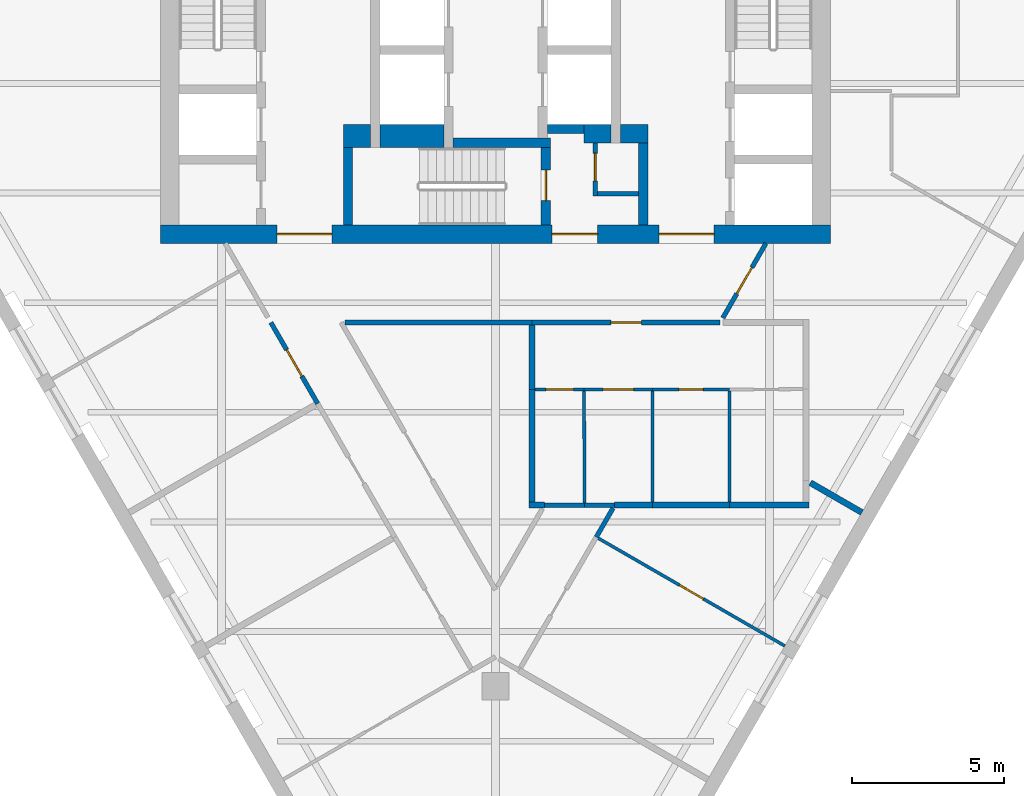
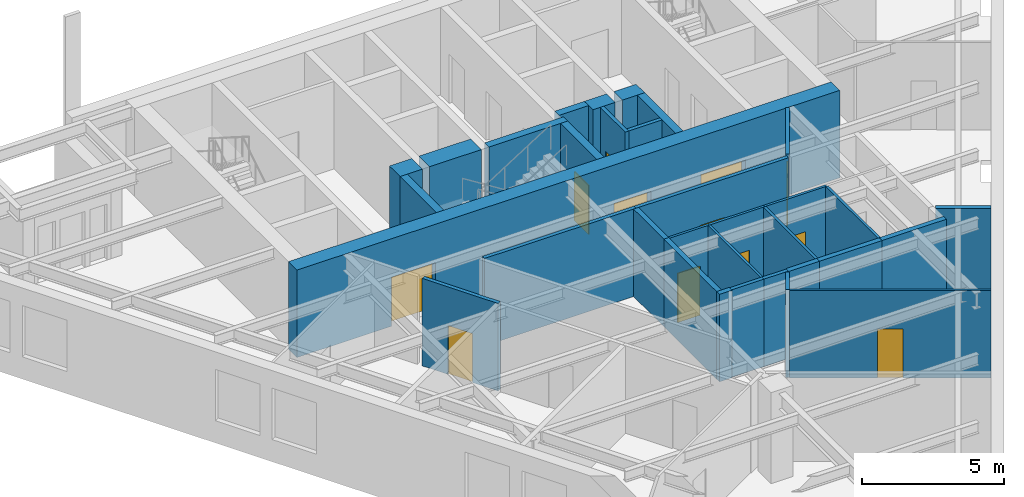
# One storey, part 3 of 8: 33 walls, 12 doors, 12 openings.
"""IFC4 building model written with IfcOpenShell, lengths in metres."""

from ifc_helpers import new_model, si_unit, direction, frame, frame_2d, origin, place, context, subcontext, project, spatial, rectangle, extrude, material, layer, layer_set, type_object, element, fill, save


model = new_model("IFC4")

# Units and contexts
model_context = context("Model", 3, precision=1e-05, world=origin(), true_north=direction((0.0, 1.0)))
body_context = subcontext(model_context, "Body", "Model", "MODEL_VIEW")
ifc_project = project(units=[si_unit("LENGTHUNIT", "METRE"), si_unit("AREAUNIT", "SQUARE_METRE"), si_unit("VOLUMEUNIT", "CUBIC_METRE"), si_unit("PLANEANGLEUNIT", "RADIAN"), si_unit("MASSUNIT", "GRAM", prefix="KILO")], contexts=[model_context])

# Site, building, storey
site_placement = place(None, origin())
site = spatial("IfcSite", under=ifc_project, at=site_placement, CompositionType="ELEMENT")
building_placement = place(site_placement, origin())
building = spatial("IfcBuilding", under=site, at=building_placement, Name="Aloe Facet Convention Tower", CompositionType="ELEMENT")
storey_placement = place(building_placement, frame((0.0, 0.0, 140.300048828125)))
storey = spatial("IfcBuildingStorey", under=building, at=storey_placement, Name="L35", CompositionType="ELEMENT", Elevation=140.300048828125)

# Wall, opening, door
ifc_material_1 = material(Name="Concrete blockwork partition", Category="masonry")
ifc_layer_1 = layer(ifc_material_1, 0.14990234375)
ifc_layer_set_1 = layer_set([ifc_layer_1], Name="CR-W-PART150")
wall_type_1 = type_object("IfcWallType", Name="CR-W-PART150", PredefinedType="PARTITIONING", material=ifc_layer_set_1)
wall_1_placement = place(storey_placement, frame((83.27490234375, 125.85009765625, 0.0), z_axis=(0.0, 0.0, 1.0), x_axis=(0.0, -1.0, 0.0)))
wall_1 = element("IfcWall", 1, at=wall_1_placement, inside=storey, type_object=wall_type_1, Name="Core partition L35-022", PredefinedType="PARTITIONING", context=body_context, shape_type="SweptSolid", body=[
    extrude(rectangle(XDim=1.75, YDim=0.14990234375, at=frame_2d((0.875, 0.0))), origin(), (0.0, 0.0, 1.0), 3.75),
])
opening_1_placement = place(wall_1_placement, frame((0.35009765625, 0.0, 0.0)))
opening_1 = element("IfcOpeningElement", 2, at=opening_1_placement, cuts=wall_1, Name="Opening L35-CD12", PredefinedType="OPENING", context=body_context, shape_type="SweptSolid", body=[
    extrude(rectangle(XDim=0.89990234375, YDim=2.10009765625, at=frame_2d((0.449951171875, 1.050048828125))), frame((0.0, 0.0849609375, 0.0), z_axis=(0.0, -1.0, 0.0), x_axis=(1.0, 0.0, 0.0)), (0.0, 0.0, 1.0), 0.169921875),
])
ifc_material_2 = material(Name="Steel fire-resisting door set FD60", Category="steel")
door_type_1 = type_object("IfcDoorType", Name="CR-D-REFUGE-900-FD60-SRIGHT", OperationType="SINGLE_SWING_RIGHT", PredefinedType="DOOR", material=ifc_material_2)
door_1_placement = place(opening_1_placement, origin())
door_1 = element("IfcDoor", 3, at=door_1_placement, inside=storey, type_object=door_type_1, Name="Core door L35-CD12", OperationType="SINGLE_SWING_RIGHT", OverallHeight=2.10009765625, OverallWidth=0.89990234375, PredefinedType="DOOR", context=body_context, shape_type="SweptSolid", body=[
    extrude(rectangle(XDim=0.89990234375, YDim=2.10009765625, at=frame_2d((0.449951171875, 1.050048828125))), frame((0.0, 0.02490234375, 0.0), z_axis=(0.0, -1.0, 0.0), x_axis=(1.0, 0.0, 0.0)), (0.0, 0.0, 1.0), 0.050048828125),
])
fill(opening_1, door_1)

# Walls
wall_2_placement = place(storey_placement, frame((83.35009765625, 124.175048828125, 0.0), z_axis=(0.0, 0.0, 1.0), x_axis=(1.0, 0.0, 0.0)))
element("IfcWall", 4, at=wall_2_placement, inside=storey, type_object=wall_type_1, Name="Core partition L35-023", PredefinedType="PARTITIONING", context=body_context, shape_type="SweptSolid", body=[
    extrude(rectangle(XDim=1.349853515625, YDim=0.14990234375, at=frame_2d((0.6748046875, 0.0))), origin(), (0.0, 0.0, 1.0), 3.75),
])
ifc_material_3 = material(Name="Concrete C60/75", Category="concrete")
ifc_layer_2 = layer(ifc_material_3, 0.300048828125)
ifc_layer_set_2 = layer_set([ifc_layer_2], Name="CR-W-RC300-C6075")
wall_type_2 = type_object("IfcWallType", Name="CR-W-RC300-C6075", PredefinedType="SOLIDWALL", material=ifc_layer_set_2)
wall_3_placement = place(storey_placement, frame((75.14990234375, 125.699951171875, 0.0), z_axis=(0.0, 0.0, 1.0), x_axis=(0.0, -1.0, 0.0)))
element("IfcWall", 5, at=wall_3_placement, inside=storey, type_object=wall_type_2, Name="Core wall L35-009", PredefinedType="SOLIDWALL", context=body_context, shape_type="SweptSolid", body=[
    extrude(rectangle(XDim=2.550048828125, YDim=0.300048828125, at=frame_2d((1.27490234375, 0.0))), origin(), (0.0, 0.0, 1.0), 3.75),
])
wall_4_placement = place(storey_placement, frame((78.60009765625, 125.85009765625, 0.0), z_axis=(0.0, 0.0, 1.0), x_axis=(1.0, 0.0, 0.0)))
element("IfcWall", 6, at=wall_4_placement, inside=storey, type_object=wall_type_2, Name="Core wall L35-015", PredefinedType="SOLIDWALL", context=body_context, shape_type="SweptSolid", body=[
    extrude(rectangle(XDim=3.199951171875, YDim=0.300048828125, at=frame_2d((1.60009765625, 0.0))), origin(), (0.0, 0.0, 1.0), 3.75),
])

# Wall, opening, door
wall_5_placement = place(storey_placement, frame((81.64990234375, 125.699951171875, 0.0), z_axis=(0.0, 0.0, 1.0), x_axis=(0.0, -1.0, 0.0)))
wall_5 = element("IfcWall", 7, at=wall_5_placement, inside=storey, type_object=wall_type_2, Name="Core wall L35-017", PredefinedType="SOLIDWALL", context=body_context, shape_type="SweptSolid", body=[
    extrude(rectangle(XDim=2.550048828125, YDim=0.300048828125, at=frame_2d((1.27490234375, 0.0))), origin(), (0.0, 0.0, 1.0), 3.75),
])
opening_2_placement = place(wall_5_placement, frame((0.75, 0.0, 0.0)))
opening_2 = element("IfcOpeningElement", 8, at=opening_2_placement, cuts=wall_5, Name="Opening L35-CD18", PredefinedType="OPENING", context=body_context, shape_type="SweptSolid", body=[
    extrude(rectangle(XDim=1.0, YDim=2.10009765625, at=frame_2d((0.5, 1.050048828125))), frame((0.0, 0.16015625, 0.0), z_axis=(0.0, -1.0, 0.0), x_axis=(1.0, 0.0, 0.0)), (0.0, 0.0, 1.0), 0.320068359375),
])
ifc_material_4 = material(Name="Steel fire-resisting door set FD120", Category="steel")
door_type_2 = type_object("IfcDoorType", Name="CR-D-STAIR-1000-FD120-SLEFT", OperationType="SINGLE_SWING_LEFT", PredefinedType="DOOR", material=ifc_material_4)
door_2_placement = place(opening_2_placement, origin())
door_2 = element("IfcDoor", 9, at=door_2_placement, inside=storey, type_object=door_type_2, Name="Core door L35-CD18", OperationType="SINGLE_SWING_LEFT", OverallHeight=2.10009765625, OverallWidth=1.0, PredefinedType="DOOR", context=body_context, shape_type="SweptSolid", body=[
    extrude(rectangle(XDim=1.0, YDim=2.10009765625, at=frame_2d((0.5, 1.050048828125))), frame((0.0, 0.02490234375, 0.0), z_axis=(0.0, -1.0, 0.0), x_axis=(1.0, 0.0, 0.0)), (0.0, 0.0, 1.0), 0.050048828125),
])
fill(opening_2, door_2)

# Walls
wall_6_placement = place(storey_placement, frame((81.699951171875, 126.300048828125, 0.0), z_axis=(0.0, 0.0, 1.0), x_axis=(1.0, 0.0, 0.0)))
element("IfcWall", 10, at=wall_6_placement, inside=storey, type_object=wall_type_2, Name="Core wall L35-020", PredefinedType="SOLIDWALL", context=body_context, shape_type="SweptSolid", body=[
    extrude(rectangle(XDim=1.199951171875, YDim=0.300048828125, at=frame_2d((0.60009765625, 0.0))), origin(), (0.0, 0.0, 1.0), 3.75),
])
wall_7_placement = place(storey_placement, frame((84.85009765625, 125.85009765625, 0.0), z_axis=(0.0, 0.0, 1.0), x_axis=(0.0, -1.0, 0.0)))
element("IfcWall", 11, at=wall_7_placement, inside=storey, type_object=wall_type_2, Name="Core wall L35-027", PredefinedType="SOLIDWALL", context=body_context, shape_type="SweptSolid", body=[
    extrude(rectangle(XDim=2.7001953125, YDim=0.300048828125, at=frame_2d((1.35009765625, 0.0))), origin(), (0.0, 0.0, 1.0), 3.75),
])

# Wall, openings, doors
ifc_material_5 = material(Name="Concrete C60/75", Category="concrete")
ifc_layer_3 = layer(ifc_material_5, 0.60009765625)
ifc_layer_set_3 = layer_set([ifc_layer_3], Name="CR-W-RC600-C6075")
wall_type_3 = type_object("IfcWallType", Name="CR-W-RC600-C6075", PredefinedType="SOLIDWALL", material=ifc_layer_set_3)
wall_8_placement = place(storey_placement, frame((69.0, 122.85009765625, 0.0), z_axis=(0.0, 0.0, 1.0), x_axis=(1.0, 0.0, 0.0)))
wall_8 = element("IfcWall", 12, at=wall_8_placement, inside=storey, type_object=wall_type_3, Name="Core wall L35-003", PredefinedType="SOLIDWALL", context=body_context, shape_type="SweptSolid", body=[
    extrude(rectangle(XDim=22.0, YDim=0.60009765625, at=frame_2d((11.0, 0.0))), origin(), (0.0, 0.0, 1.0), 3.75),
])
opening_3_placement = place(wall_8_placement, frame((16.375, 0.0, 0.0)))
opening_3 = element("IfcOpeningElement", 13, at=opening_3_placement, cuts=wall_8, Name="Opening L35-CD09", PredefinedType="OPENING", context=body_context, shape_type="SweptSolid", body=[
    extrude(rectangle(XDim=1.800048828125, YDim=2.10009765625, at=frame_2d((0.89990234375, 1.050048828125))), frame((0.0, 0.31005859375, 0.0), z_axis=(0.0, -1.0, 0.0), x_axis=(1.0, 0.0, 0.0)), (0.0, 0.0, 1.0), 0.6201171875),
])
opening_4_placement = place(wall_8_placement, frame((3.824951171875, 0.0, 0.0)))
opening_4 = element("IfcOpeningElement", 14, at=opening_4_placement, cuts=wall_8, Name="Opening L35-CD10", PredefinedType="OPENING", context=body_context, shape_type="SweptSolid", body=[
    extrude(rectangle(XDim=1.800048828125, YDim=2.10009765625, at=frame_2d((0.89990234375, 1.050048828125))), frame((0.0, 0.31005859375, 0.0), z_axis=(0.0, -1.0, 0.0), x_axis=(1.0, 0.0, 0.0)), (0.0, 0.0, 1.0), 0.6201171875),
])
opening_5_placement = place(wall_8_placement, frame((12.85009765625, 0.0, 0.0)))
opening_5 = element("IfcOpeningElement", 15, at=opening_5_placement, cuts=wall_8, Name="Opening L35-CD11", PredefinedType="OPENING", context=body_context, shape_type="SweptSolid", body=[
    extrude(rectangle(XDim=1.5, YDim=2.10009765625, at=frame_2d((0.75, 1.050048828125))), frame((0.0, 0.31005859375, 0.0), z_axis=(0.0, -1.0, 0.0), x_axis=(1.0, 0.0, 0.0)), (0.0, 0.0, 1.0), 0.6201171875),
])
ifc_material_6 = material(Name="Steel fire-resisting door set FD60", Category="steel")
door_type_3 = type_object("IfcDoorType", Name="CR-D-EXIT-1500-FD60-DD", OperationType="DOUBLE_DOOR_DOUBLE_SWING", PredefinedType="DOOR", material=ifc_material_6)
door_3_placement = place(opening_5_placement, origin())
door_3 = element("IfcDoor", 16, at=door_3_placement, inside=storey, type_object=door_type_3, Name="Core door L35-CD11", OperationType="DOUBLE_DOOR_DOUBLE_SWING", OverallHeight=2.10009765625, OverallWidth=1.5, PredefinedType="DOOR", context=body_context, shape_type="SweptSolid", body=[
    extrude(rectangle(XDim=1.5, YDim=2.10009765625, at=frame_2d((0.75, 1.050048828125))), frame((0.0, 0.02490234375, 0.0), z_axis=(0.0, -1.0, 0.0), x_axis=(1.0, 0.0, 0.0)), (0.0, 0.0, 1.0), 0.050048828125),
])
fill(opening_5, door_3)
ifc_material_7 = material(Name="Steel fire-resisting door set FD120", Category="steel")
door_type_4 = type_object("IfcDoorType", Name="CR-D-EXIT-1800-FD120-DD", OperationType="DOUBLE_DOOR_DOUBLE_SWING", PredefinedType="DOOR", material=ifc_material_7)
door_4_placement = place(opening_3_placement, origin())
door_4 = element("IfcDoor", 17, at=door_4_placement, inside=storey, type_object=door_type_4, Name="Core door L35-CD09", OperationType="DOUBLE_DOOR_DOUBLE_SWING", OverallHeight=2.10009765625, OverallWidth=1.800048828125, PredefinedType="DOOR", context=body_context, shape_type="SweptSolid", body=[
    extrude(rectangle(XDim=1.800048828125, YDim=2.10009765625, at=frame_2d((0.89990234375, 1.050048828125))), frame((0.0, 0.02490234375, 0.0), z_axis=(0.0, -1.0, 0.0), x_axis=(1.0, 0.0, 0.0)), (0.0, 0.0, 1.0), 0.050048828125),
])
fill(opening_3, door_4)
door_5_placement = place(opening_4_placement, origin())
door_5 = element("IfcDoor", 18, at=door_5_placement, inside=storey, type_object=door_type_4, Name="Core door L35-CD10", OperationType="DOUBLE_DOOR_DOUBLE_SWING", OverallHeight=2.10009765625, OverallWidth=1.800048828125, PredefinedType="DOOR", context=body_context, shape_type="SweptSolid", body=[
    extrude(rectangle(XDim=1.800048828125, YDim=2.10009765625, at=frame_2d((0.89990234375, 1.050048828125))), frame((0.0, 0.02490234375, 0.0), z_axis=(0.0, -1.0, 0.0), x_axis=(1.0, 0.0, 0.0)), (0.0, 0.0, 1.0), 0.050048828125),
])
fill(opening_4, door_5)

# Walls
wall_9_placement = place(storey_placement, frame((82.89990234375, 126.14990234375, 0.0), z_axis=(0.0, 0.0, 1.0), x_axis=(1.0, 0.0, 0.0)))
element("IfcWall", 19, at=wall_9_placement, inside=storey, type_object=wall_type_3, Name="Core wall L35-021", PredefinedType="SOLIDWALL", context=body_context, shape_type="SweptSolid", body=[
    extrude(rectangle(XDim=0.900146484375, YDim=0.60009765625, at=frame_2d((0.4501953125, 0.0))), origin(), (0.0, 0.0, 1.0), 3.75),
])
wall_10_placement = place(storey_placement, frame((84.10009765625, 126.14990234375, 0.0), z_axis=(0.0, 0.0, 1.0), x_axis=(1.0, 0.0, 0.0)))
element("IfcWall", 20, at=wall_10_placement, inside=storey, type_object=wall_type_3, Name="Core wall L35-026", PredefinedType="SOLIDWALL", context=body_context, shape_type="SweptSolid", body=[
    extrude(rectangle(XDim=0.89990234375, YDim=0.60009765625, at=frame_2d((0.449951171875, 0.0))), origin(), (0.0, 0.0, 1.0), 3.75),
])
ifc_material_8 = material(Name="Concrete C60/75", Category="concrete")
ifc_layer_4 = layer(ifc_material_8, 0.75)
ifc_layer_set_4 = layer_set([ifc_layer_4], Name="CR-W-RC750-C6075")
wall_type_4 = type_object("IfcWallType", Name="CR-W-RC750-C6075", PredefinedType="SOLIDWALL", material=ifc_layer_set_4)
wall_11_placement = place(storey_placement, frame((75.0, 126.074951171875, 0.0), z_axis=(0.0, 0.0, 1.0), x_axis=(1.0, 0.0, 0.0)))
element("IfcWall", 21, at=wall_11_placement, inside=storey, type_object=wall_type_4, Name="Core wall L35-008", PredefinedType="SOLIDWALL", context=body_context, shape_type="SweptSolid", body=[
    extrude(rectangle(XDim=0.89990234375, YDim=0.75, at=frame_2d((0.449951171875, 0.0))), origin(), (0.0, 0.0, 1.0), 3.75),
])
wall_12_placement = place(storey_placement, frame((76.199951171875, 126.074951171875, 0.0), z_axis=(0.0, 0.0, 1.0), x_axis=(1.0, 0.0, 0.0)))
element("IfcWall", 22, at=wall_12_placement, inside=storey, type_object=wall_type_4, Name="Core wall L35-013", PredefinedType="SOLIDWALL", context=body_context, shape_type="SweptSolid", body=[
    extrude(rectangle(XDim=2.10009765625, YDim=0.75, at=frame_2d((1.050048828125, 0.0))), origin(), (0.0, 0.0, 1.0), 3.75),
])
ifc_material_9 = material(Name="Gypsum board partition on steel studs", Category="steel")
ifc_layer_5 = layer(ifc_material_9, 0.14990234375)
ifc_layer_set_5 = layer_set([ifc_layer_5], Name="IN-W-CORR")
wall_type_5 = type_object("IfcWallType", Name="IN-W-CORR", PredefinedType="PARTITIONING", material=ifc_layer_set_5)
wall_13_placement = place(storey_placement, frame((81.604736328125, 113.949951171875, 0.0), z_axis=(0.0, 0.0, 1.0), x_axis=(1.0, 0.0, 0.0)))
element("IfcWall", 23, at=wall_13_placement, inside=storey, type_object=wall_type_5, Name="Partition L35-W015", PredefinedType="PARTITIONING", context=body_context, shape_type="SweptSolid", body=[
    extrude(rectangle(XDim=1.315185546875, YDim=0.14990234375, at=frame_2d((0.65771484375, 0.0))), origin(), (0.0, 0.0, 1.0), 3.75),
])
wall_14_placement = place(storey_placement, frame((82.919921875, 113.949951171875, 0.0), z_axis=(0.0, 0.0, 1.0), x_axis=(1.0, 0.0, 0.0)))
element("IfcWall", 24, at=wall_14_placement, inside=storey, type_object=wall_type_5, Name="Partition L35-W016", PredefinedType="PARTITIONING", context=body_context, shape_type="SweptSolid", body=[
    extrude(rectangle(XDim=0.994140625, YDim=0.14990234375, at=frame_2d((0.4970703125, 0.0))), origin(), (0.0, 0.0, 1.0), 3.75),
])
wall_15_placement = place(storey_placement, frame((83.309326171875, 112.902587890625, 0.0), z_axis=(0.0, 0.0, 1.0), x_axis=(0.500055614084, 0.865993292597, 0.0)))
element("IfcWall", 25, at=wall_15_placement, inside=storey, type_object=wall_type_5, Name="Partition L35-W017", PredefinedType="PARTITIONING", context=body_context, shape_type="SweptSolid", body=[
    extrude(rectangle(XDim=1.099365234375, YDim=0.14990234375, at=frame_2d((0.5498046875, 0.0))), origin(), (0.0, 0.0, 1.0), 3.75),
])

# Wall, opening, door
wall_16_placement = place(storey_placement, frame((72.621826171875, 119.949951171875, 0.0), z_axis=(0.0, 0.0, 1.0), x_axis=(0.4999536902, -0.866052139109, 0.0)))
wall_16 = element("IfcWall", 26, at=wall_16_placement, inside=storey, type_object=wall_type_5, Name="Partition L35-W023", PredefinedType="PARTITIONING", context=body_context, shape_type="SweptSolid", body=[
    extrude(rectangle(XDim=3.076904296875, YDim=0.14990234375, at=frame_2d((1.53857421875, 0.0))), origin(), (0.0, 0.0, 1.0), 3.75),
])
opening_6_placement = place(wall_16_placement, frame((1.03857421875, 0.0, 0.0)))
opening_6 = element("IfcOpeningElement", 27, at=opening_6_placement, cuts=wall_16, Name="Opening L35-008", PredefinedType="OPENING", context=body_context, shape_type="SweptSolid", body=[
    extrude(rectangle(XDim=1.0, YDim=2.10009765625, at=frame_2d((0.5, 1.050048828125))), frame((0.0, 0.0849609375, 0.0), z_axis=(0.0, -1.0, 0.0), x_axis=(1.0, 0.0, 0.0)), (0.0, 0.0, 1.0), 0.169921875),
])
ifc_material_10 = material(Name="Timber door FD30S with vision panel", Category="wood")
door_type_5 = type_object("IfcDoorType", Name="IN-OFF-D-ENTRY", OperationType="SINGLE_SWING_LEFT", PredefinedType="DOOR", material=ifc_material_10)
door_6_placement = place(opening_6_placement, origin())
door_6 = element("IfcDoor", 28, at=door_6_placement, inside=storey, type_object=door_type_5, Name="Door L35-008", OperationType="SINGLE_SWING_LEFT", OverallHeight=2.10009765625, OverallWidth=1.0, PredefinedType="DOOR", context=body_context, shape_type="SweptSolid", body=[
    extrude(rectangle(XDim=1.0, YDim=2.10009765625, at=frame_2d((0.5, 1.050048828125))), frame((0.0, 0.02490234375, 0.0), z_axis=(0.0, -1.0, 0.0), x_axis=(1.0, 0.0, 0.0)), (0.0, 0.0, 1.0), 0.050048828125),
])
fill(opening_6, door_6)

# Wall
wall_17_placement = place(storey_placement, frame((75.06103515625, 119.949951171875, 0.0), z_axis=(0.0, 0.0, 1.0), x_axis=(1.0, 0.0, 0.0)))
element("IfcWall", 29, at=wall_17_placement, inside=storey, type_object=wall_type_5, Name="Partition L35-W034", PredefinedType="PARTITIONING", context=body_context, shape_type="SweptSolid", body=[
    extrude(rectangle(XDim=6.138916015625, YDim=0.14990234375, at=frame_2d((3.0693359375, 0.0))), origin(), (0.0, 0.0, 1.0), 3.75),
])

# Wall, opening, door
wall_18_placement = place(storey_placement, frame((81.199951171875, 119.949951171875, 0.0), z_axis=(0.0, 0.0, 1.0), x_axis=(1.0, 0.0, 0.0)))
wall_18 = element("IfcWall", 30, at=wall_18_placement, inside=storey, type_object=wall_type_5, Name="Partition L35-W036", PredefinedType="PARTITIONING", context=body_context, shape_type="SweptSolid", body=[
    extrude(rectangle(XDim=6.17822265625, YDim=0.14990234375, at=frame_2d((3.089111328125, 0.0))), origin(), (0.0, 0.0, 1.0), 3.75),
])
opening_7_placement = place(wall_18_placement, frame((2.589111328125, 0.0, 0.0)))
opening_7 = element("IfcOpeningElement", 31, at=opening_7_placement, cuts=wall_18, Name="Opening L35-001", PredefinedType="OPENING", context=body_context, shape_type="SweptSolid", body=[
    extrude(rectangle(XDim=1.0, YDim=2.10009765625, at=frame_2d((0.5, 1.050048828125))), frame((0.0, 0.0849609375, 0.0), z_axis=(0.0, -1.0, 0.0), x_axis=(1.0, 0.0, 0.0)), (0.0, 0.0, 1.0), 0.169921875),
])
door_7_placement = place(opening_7_placement, origin())
door_7 = element("IfcDoor", 32, at=door_7_placement, inside=storey, type_object=door_type_5, Name="Door L35-001", OperationType="SINGLE_SWING_LEFT", OverallHeight=2.10009765625, OverallWidth=1.0, PredefinedType="DOOR", context=body_context, shape_type="SweptSolid", body=[
    extrude(rectangle(XDim=1.0, YDim=2.10009765625, at=frame_2d((0.5, 1.050048828125))), frame((0.0, 0.02490234375, 0.0), z_axis=(0.0, -1.0, 0.0), x_axis=(1.0, 0.0, 0.0)), (0.0, 0.0, 1.0), 0.050048828125),
])
fill(opening_7, door_7)

wall_19_placement = place(storey_placement, frame((87.465087890625, 120.100341796875, 0.0), z_axis=(0.0, 0.0, 1.0), x_axis=(0.499991416419, 0.86603035946, 0.0)))
wall_19 = element("IfcWall", 33, at=wall_19_placement, inside=storey, type_object=wall_type_5, Name="Partition L35-W041", PredefinedType="PARTITIONING", context=body_context, shape_type="SweptSolid", body=[
    extrude(rectangle(XDim=2.82861328125, YDim=0.14990234375, at=frame_2d((1.414306640625, 0.0))), origin(), (0.0, 0.0, 1.0), 3.75),
])
opening_8_placement = place(wall_19_placement, frame((0.914306640625, 0.0, 0.0)))
opening_8 = element("IfcOpeningElement", 34, at=opening_8_placement, cuts=wall_19, Name="Opening L35-013", PredefinedType="OPENING", context=body_context, shape_type="SweptSolid", body=[
    extrude(rectangle(XDim=1.0, YDim=2.10009765625, at=frame_2d((0.5, 1.050048828125))), frame((0.0, 0.0849609375, 0.0), z_axis=(0.0, -1.0, 0.0), x_axis=(1.0, 0.0, 0.0)), (0.0, 0.0, 1.0), 0.169921875),
])
door_8_placement = place(opening_8_placement, origin())
door_8 = element("IfcDoor", 35, at=door_8_placement, inside=storey, type_object=door_type_5, Name="Door L35-013", OperationType="SINGLE_SWING_LEFT", OverallHeight=2.10009765625, OverallWidth=1.0, PredefinedType="DOOR", context=body_context, shape_type="SweptSolid", body=[
    extrude(rectangle(XDim=1.0, YDim=2.10009765625, at=frame_2d((0.5, 1.050048828125))), frame((0.0, 0.02490234375, 0.0), z_axis=(0.0, -1.0, 0.0), x_axis=(1.0, 0.0, 0.0)), (0.0, 0.0, 1.0), 0.050048828125),
])
fill(opening_8, door_8)

ifc_material_11 = material(Name="Gypsum board partition on steel studs", Category="steel")
ifc_layer_6 = layer(ifc_material_11, 0.10009765625)
ifc_layer_set_6 = layer_set([ifc_layer_6], Name="IN-W-PART")
wall_type_6 = type_object("IfcWallType", Name="IN-W-PART", PredefinedType="PARTITIONING", material=ifc_layer_set_6)
wall_20_placement = place(storey_placement, frame((83.374267578125, 112.864990234375, 0.0), z_axis=(0.0, 0.0, 1.0), x_axis=(0.866021813296, -0.500006218857, 0.0)))
wall_20 = element("IfcWall", 36, at=wall_20_placement, inside=storey, type_object=wall_type_6, Name="Partition L35-W007", PredefinedType="PARTITIONING", context=body_context, shape_type="SweptSolid", body=[
    extrude(rectangle(XDim=7.0751953125, YDim=0.10009765625, at=frame_2d((3.53759765625, 0.0))), origin(), (0.0, 0.0, 1.0), 3.75),
])
opening_9_placement = place(wall_20_placement, frame((3.08740234375, 0.0, 0.0)))
opening_9 = element("IfcOpeningElement", 37, at=opening_9_placement, cuts=wall_20, Name="Opening L35-012", PredefinedType="OPENING", context=body_context, shape_type="SweptSolid", body=[
    extrude(rectangle(XDim=0.89990234375, YDim=2.10009765625, at=frame_2d((0.449951171875, 1.050048828125))), frame((0.0, 0.06005859375, 0.0), z_axis=(0.0, -1.0, 0.0), x_axis=(1.0, 0.0, 0.0)), (0.0, 0.0, 1.0), 0.1201171875),
])
ifc_material_12 = material(Name="Timber door", Category="wood")
door_type_6 = type_object("IfcDoorType", Name="IN-OFF-D-ROOM", OperationType="SINGLE_SWING_LEFT", PredefinedType="DOOR", material=ifc_material_12)
door_9_placement = place(opening_9_placement, origin())
door_9 = element("IfcDoor", 38, at=door_9_placement, inside=storey, type_object=door_type_6, Name="Door L35-012", OperationType="SINGLE_SWING_LEFT", OverallHeight=2.10009765625, OverallWidth=0.89990234375, PredefinedType="DOOR", context=body_context, shape_type="SweptSolid", body=[
    extrude(rectangle(XDim=0.89990234375, YDim=2.10009765625, at=frame_2d((0.449951171875, 1.050048828125))), frame((0.0, 0.02490234375, 0.0), z_axis=(0.0, -1.0, 0.0), x_axis=(1.0, 0.0, 0.0)), (0.0, 0.0, 1.0), 0.050048828125),
])
fill(opening_9, door_9)

# Wall
wall_21_placement = place(storey_placement, frame((82.919921875, 114.02490234375, 0.0), z_axis=(0.0, 0.0, 1.0), x_axis=(-0.002657268237, 0.999996469457, 0.0)))
element("IfcWall", 39, at=wall_21_placement, inside=storey, type_object=wall_type_6, Name="Partition L35-W025", PredefinedType="PARTITIONING", context=body_context, shape_type="SweptSolid", body=[
    extrude(rectangle(XDim=3.675048828125, YDim=0.10009765625, at=frame_2d((1.83740234375, 0.0))), origin(), (0.0, 0.0, 1.0), 3.75),
])

# Wall, opening, door
wall_22_placement = place(storey_placement, frame((81.300048828125, 117.75, 0.0), z_axis=(0.0, 0.0, 1.0), x_axis=(1.0, 0.0, 0.0)))
wall_22 = element("IfcWall", 40, at=wall_22_placement, inside=storey, type_object=wall_type_6, Name="Partition L35-W026", PredefinedType="PARTITIONING", context=body_context, shape_type="SweptSolid", body=[
    extrude(rectangle(XDim=1.60986328125, YDim=0.10009765625, at=frame_2d((0.804931640625, 0.0))), origin(), (0.0, 0.0, 1.0), 3.75),
])
opening_10_placement = place(wall_22_placement, frame((0.35498046875, 0.0, 0.0)))
opening_10 = element("IfcOpeningElement", 41, at=opening_10_placement, cuts=wall_22, Name="Opening L35-002", PredefinedType="OPENING", context=body_context, shape_type="SweptSolid", body=[
    extrude(rectangle(XDim=0.89990234375, YDim=2.10009765625, at=frame_2d((0.449951171875, 1.050048828125))), frame((0.0, 0.06005859375, 0.0), z_axis=(0.0, -1.0, 0.0), x_axis=(1.0, 0.0, 0.0)), (0.0, 0.0, 1.0), 0.1201171875),
])
door_10_placement = place(opening_10_placement, origin())
door_10 = element("IfcDoor", 42, at=door_10_placement, inside=storey, type_object=door_type_6, Name="Door L35-002", OperationType="SINGLE_SWING_LEFT", OverallHeight=2.10009765625, OverallWidth=0.89990234375, PredefinedType="DOOR", context=body_context, shape_type="SweptSolid", body=[
    extrude(rectangle(XDim=0.89990234375, YDim=2.10009765625, at=frame_2d((0.449951171875, 1.050048828125))), frame((0.0, 0.02490234375, 0.0), z_axis=(0.0, -1.0, 0.0), x_axis=(1.0, 0.0, 0.0)), (0.0, 0.0, 1.0), 0.050048828125),
])
fill(opening_10, door_10)

# Wall
wall_23_placement = place(storey_placement, frame((85.150146484375, 114.050048828125, 0.0), z_axis=(0.0, 0.0, 1.0), x_axis=(0.002675575707, 0.999996420641, 0.0)))
element("IfcWall", 43, at=wall_23_placement, inside=storey, type_object=wall_type_6, Name="Partition L35-W027", PredefinedType="PARTITIONING", context=body_context, shape_type="SweptSolid", body=[
    extrude(rectangle(XDim=3.64990234375, YDim=0.10009765625, at=frame_2d((1.824951171875, 0.0))), origin(), (0.0, 0.0, 1.0), 3.75),
])

# Wall, opening, door
wall_24_placement = place(storey_placement, frame((82.909912109375, 117.75, 0.0), z_axis=(0.0, 0.0, 1.0), x_axis=(1.0, 0.0, 0.0)))
wall_24 = element("IfcWall", 44, at=wall_24_placement, inside=storey, type_object=wall_type_6, Name="Partition L35-W028", PredefinedType="PARTITIONING", context=body_context, shape_type="SweptSolid", body=[
    extrude(rectangle(XDim=2.25, YDim=0.10009765625, at=frame_2d((1.125, 0.0))), origin(), (0.0, 0.0, 1.0), 3.75),
])
opening_11_placement = place(wall_24_placement, frame((0.625, 0.0, 0.0)))
opening_11 = element("IfcOpeningElement", 45, at=opening_11_placement, cuts=wall_24, Name="Opening L35-003", PredefinedType="OPENING", context=body_context, shape_type="SweptSolid", body=[
    extrude(rectangle(XDim=1.0, YDim=2.10009765625, at=frame_2d((0.5, 1.050048828125))), frame((0.0, 0.06005859375, 0.0), z_axis=(0.0, -1.0, 0.0), x_axis=(1.0, 0.0, 0.0)), (0.0, 0.0, 1.0), 0.1201171875),
])
ifc_material_13 = material(Name="Timber door", Category="wood")
door_type_7 = type_object("IfcDoorType", Name="IN-OFF-D-WIDE", OperationType="SINGLE_SWING_LEFT", PredefinedType="DOOR", material=ifc_material_13)
door_11_placement = place(opening_11_placement, origin())
door_11 = element("IfcDoor", 46, at=door_11_placement, inside=storey, type_object=door_type_7, Name="Door L35-003", OperationType="SINGLE_SWING_LEFT", OverallHeight=2.10009765625, OverallWidth=1.0, PredefinedType="DOOR", context=body_context, shape_type="SweptSolid", body=[
    extrude(rectangle(XDim=1.0, YDim=2.10009765625, at=frame_2d((0.5, 1.050048828125))), frame((0.0, 0.02490234375, 0.0), z_axis=(0.0, -1.0, 0.0), x_axis=(1.0, 0.0, 0.0)), (0.0, 0.0, 1.0), 0.050048828125),
])
fill(opening_11, door_11)

# Wall
wall_25_placement = place(storey_placement, frame((87.689697265625, 114.050048828125, 0.0), z_axis=(0.0, 0.0, 1.0), x_axis=(-0.002608686776, 0.999996597371, 0.0)))
element("IfcWall", 47, at=wall_25_placement, inside=storey, type_object=wall_type_6, Name="Partition L35-W029", PredefinedType="PARTITIONING", context=body_context, shape_type="SweptSolid", body=[
    extrude(rectangle(XDim=3.64990234375, YDim=0.10009765625, at=frame_2d((1.824951171875, 0.0))), origin(), (0.0, 0.0, 1.0), 3.75),
])

# Wall, opening, door
wall_26_placement = place(storey_placement, frame((85.159912109375, 117.75, 0.0), z_axis=(0.0, 0.0, 1.0), x_axis=(1.0, 0.0, 0.0)))
wall_26 = element("IfcWall", 48, at=wall_26_placement, inside=storey, type_object=wall_type_6, Name="Partition L35-W030", PredefinedType="PARTITIONING", context=body_context, shape_type="SweptSolid", body=[
    extrude(rectangle(XDim=2.52001953125, YDim=0.10009765625, at=frame_2d((1.260009765625, 0.0))), origin(), (0.0, 0.0, 1.0), 3.75),
])
opening_12_placement = place(wall_26_placement, frame((0.860107421875, 0.0, 0.0)))
opening_12 = element("IfcOpeningElement", 49, at=opening_12_placement, cuts=wall_26, Name="Opening L35-004", PredefinedType="OPENING", context=body_context, shape_type="SweptSolid", body=[
    extrude(rectangle(XDim=0.800048828125, YDim=2.10009765625, at=frame_2d((0.39990234375, 1.050048828125))), frame((0.0, 0.06005859375, 0.0), z_axis=(0.0, -1.0, 0.0), x_axis=(1.0, 0.0, 0.0)), (0.0, 0.0, 1.0), 0.1201171875),
])
ifc_material_14 = material(Name="Timber door", Category="wood")
door_type_8 = type_object("IfcDoorType", Name="IN-OFF-D-WC", OperationType="SINGLE_SWING_LEFT", PredefinedType="DOOR", material=ifc_material_14)
door_12_placement = place(opening_12_placement, origin())
door_12 = element("IfcDoor", 50, at=door_12_placement, inside=storey, type_object=door_type_8, Name="Door L35-004", OperationType="SINGLE_SWING_LEFT", OverallHeight=2.10009765625, OverallWidth=0.800048828125, PredefinedType="DOOR", context=body_context, shape_type="SweptSolid", body=[
    extrude(rectangle(XDim=0.800048828125, YDim=2.10009765625, at=frame_2d((0.39990234375, 1.050048828125))), frame((0.0, 0.02490234375, 0.0), z_axis=(0.0, -1.0, 0.0), x_axis=(1.0, 0.0, 0.0)), (0.0, 0.0, 1.0), 0.050048828125),
])
fill(opening_12, door_12)

# Walls
ifc_material_15 = material(Name="Gypsum board partition on steel studs", Category="steel")
ifc_layer_7 = layer(ifc_material_15, 0.199951171875)
ifc_layer_set_7 = layer_set([ifc_layer_7], Name="IN-W-PARTY")
wall_type_7 = type_object("IfcWallType", Name="IN-W-PARTY", PredefinedType="PARTITIONING", material=ifc_layer_set_7)
wall_27_placement = place(storey_placement, frame((90.338623046875, 114.687744140625, 0.0), z_axis=(0.0, 0.0, 1.0), x_axis=(0.866021300503, -0.500007107024, 0.0)))
element("IfcWall", 51, at=wall_27_placement, inside=storey, type_object=wall_type_7, Name="Partition L35-W012", PredefinedType="PARTITIONING", context=body_context, shape_type="SweptSolid", body=[
    extrude(rectangle(XDim=1.955078125, YDim=0.199951171875, at=frame_2d((0.9775390625, 0.0))), origin(), (0.0, 0.0, 1.0), 3.75),
])
wall_28_placement = place(storey_placement, frame((81.10009765625, 113.949951171875, 0.0), z_axis=(0.0, 0.0, 1.0), x_axis=(1.0, 0.0, 0.0)))
element("IfcWall", 52, at=wall_28_placement, inside=storey, type_object=wall_type_7, Name="Partition L35-W013", PredefinedType="PARTITIONING", context=body_context, shape_type="SweptSolid", body=[
    extrude(rectangle(XDim=0.504638671875, YDim=0.199951171875, at=frame_2d((0.25244140625, 0.0))), origin(), (0.0, 0.0, 1.0), 3.75),
])
wall_29_placement = place(storey_placement, frame((83.9140625, 113.949951171875, 0.0), z_axis=(0.0, 0.0, 1.0), x_axis=(1.0, 0.0, 0.0)))
element("IfcWall", 53, at=wall_29_placement, inside=storey, type_object=wall_type_7, Name="Partition L35-W018", PredefinedType="PARTITIONING", context=body_context, shape_type="SweptSolid", body=[
    extrude(rectangle(XDim=1.23583984375, YDim=0.199951171875, at=frame_2d((0.617919921875, 0.0))), origin(), (0.0, 0.0, 1.0), 3.75),
])
wall_30_placement = place(storey_placement, frame((85.14990234375, 113.949951171875, 0.0), z_axis=(0.0, 0.0, 1.0), x_axis=(1.0, 0.0, 0.0)))
element("IfcWall", 54, at=wall_30_placement, inside=storey, type_object=wall_type_7, Name="Partition L35-W019", PredefinedType="PARTITIONING", context=body_context, shape_type="SweptSolid", body=[
    extrude(rectangle(XDim=2.5400390625, YDim=0.199951171875, at=frame_2d((1.27001953125, 0.0))), origin(), (0.0, 0.0, 1.0), 3.75),
])
wall_31_placement = place(storey_placement, frame((87.68994140625, 113.949951171875, 0.0), z_axis=(0.0, 0.0, 1.0), x_axis=(1.0, 0.0, 0.0)))
element("IfcWall", 55, at=wall_31_placement, inside=storey, type_object=wall_type_7, Name="Partition L35-W020", PredefinedType="PARTITIONING", context=body_context, shape_type="SweptSolid", body=[
    extrude(rectangle(XDim=2.610107421875, YDim=0.199951171875, at=frame_2d((1.30517578125, 0.0))), origin(), (0.0, 0.0, 1.0), 3.75),
])
wall_32_placement = place(storey_placement, frame((81.199951171875, 114.050048828125, 0.0), z_axis=(0.0, 0.0, 1.0), x_axis=(0.0, 1.0, 0.0)))
element("IfcWall", 56, at=wall_32_placement, inside=storey, type_object=wall_type_7, Name="Partition L35-W032", PredefinedType="PARTITIONING", context=body_context, shape_type="SweptSolid", body=[
    extrude(rectangle(XDim=3.699951171875, YDim=0.199951171875, at=frame_2d((1.85009765625, 0.0))), origin(), (0.0, 0.0, 1.0), 3.75),
])
wall_33_placement = place(storey_placement, frame((81.199951171875, 117.75, 0.0), z_axis=(0.0, 0.0, 1.0), x_axis=(0.0, 1.0, 0.0)))
element("IfcWall", 57, at=wall_33_placement, inside=storey, type_object=wall_type_7, Name="Partition L35-W035", PredefinedType="PARTITIONING", context=body_context, shape_type="SweptSolid", body=[
    extrude(rectangle(XDim=2.125, YDim=0.199951171875, at=frame_2d((1.0625, 0.0))), origin(), (0.0, 0.0, 1.0), 3.75),
])

save(model, "model.ifc")
